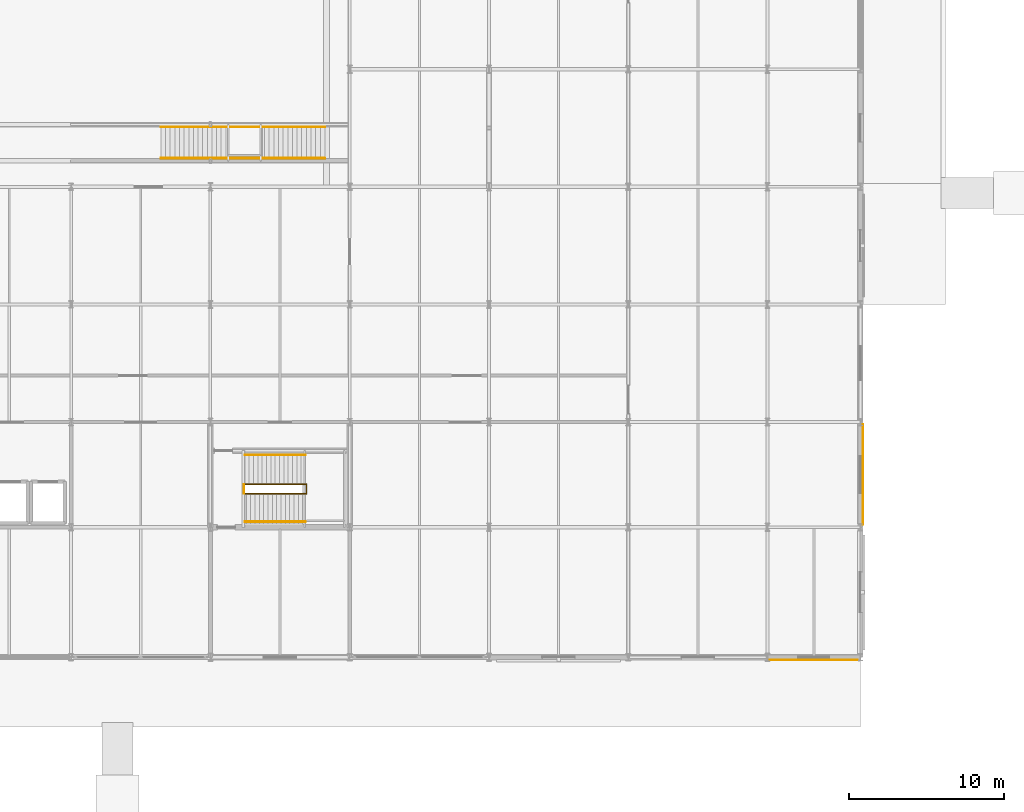
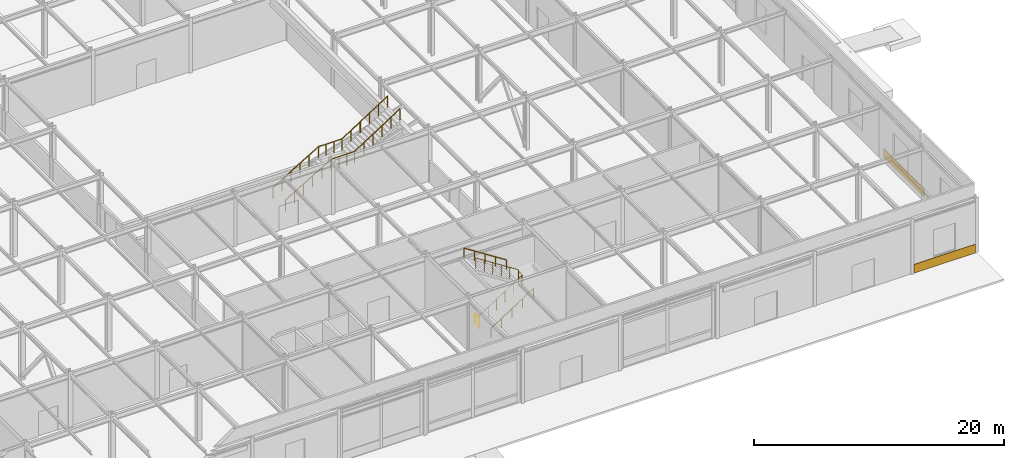
# One storey, part 86 of 89: 6 railings, 2 coverings.
"""IFC4 building model written with IfcOpenShell, lengths in metres."""

from ifc_helpers import new_model, si_unit, direction, frame, origin, origin_2d, place, context, subcontext, project, spatial, rectangle, circle, extrude, material, layer, layer_set, type_object, element, save


model = new_model("IFC4")

# Units and contexts
model_context = context("Model", 3, precision=1e-05, world=origin(), true_north=direction((0.0, 1.0)))
body_context = subcontext(model_context, "Body", "Model", "MODEL_VIEW")
ifc_project = project(units=[si_unit("LENGTHUNIT", "METRE"), si_unit("AREAUNIT", "SQUARE_METRE"), si_unit("VOLUMEUNIT", "CUBIC_METRE"), si_unit("PLANEANGLEUNIT", "RADIAN"), si_unit("MASSUNIT", "GRAM", prefix="KILO")], contexts=[model_context])

# Site, building, storey
site_placement = place(None, origin())
site = spatial("IfcSite", under=ifc_project, at=site_placement, CompositionType="ELEMENT")
building_placement = place(site_placement, origin())
building = spatial("IfcBuilding", under=site, at=building_placement, Name="Shalkamar Park Central Library", CompositionType="ELEMENT")
storey_placement = place(building_placement, origin())
storey = spatial("IfcBuildingStorey", under=building, at=storey_placement, Name="L01", CompositionType="ELEMENT", Elevation=0.0)

# Coverings
ifc_material_1 = material(Name="Granite and travertine stone cladding", Category="masonry")
ifc_layer = layer(ifc_material_1, 0.0400390625)
ifc_layer_set = layer_set([ifc_layer], Name="GraniteTravertineCladdingPanel")
covering_type = type_object("IfcCoveringType", Name="Granite Travertine Cladding Panel", PredefinedType="CLADDING", material=ifc_layer_set)
covering_1_placement = place(storey_placement, frame((285.0, 239.823974609375, 0.0), z_axis=(0.0, 0.0, 1.0), x_axis=(1.0, 0.0, 0.0)))
element("IfcCovering", 1, at=covering_1_placement, inside=storey, type_object=covering_type, Name="Granite and Travertine Cladding Panel L01-003", PredefinedType="CLADDING", context=body_context, shape_type="SweptSolid", body=[
    extrude(rectangle(XDim=5.68798828125, YDim=0.0400390625, at=origin_2d()), origin(), (0.0, 0.0, 1.0), 0.85009765625),
])
covering_2_placement = place(storey_placement, frame((288.176025390625, 251.800048828125, 0.0), z_axis=(0.0, 0.0, 1.0), x_axis=(1.0, 0.0, 0.0)))
element("IfcCovering", 2, at=covering_2_placement, inside=storey, type_object=covering_type, Name="Granite and Travertine Cladding Panel L01-006", PredefinedType="CLADDING", context=body_context, shape_type="SweptSolid", body=[
    extrude(rectangle(XDim=0.0400390625, YDim=6.488037109375, at=origin_2d()), origin(), (0.0, 0.0, 1.0), 0.85009765625),
])

# Railings
ifc_material_2 = material(Name="Steel S355", Category="steel")
railing_type_1 = type_object("IfcRailingType", Name="Stair Guardrail 1100", PredefinedType="GUARDRAIL", material=ifc_material_2)
railing_1_placement = place(storey_placement, frame((248.22509765625, 250.56494140625, 0.179931640625)))
element("IfcRailing", 3, at=railing_1_placement, inside=storey, type_object=railing_type_1, Name="Stair Inner Well Guardrail ST-P3-L01", PredefinedType="GUARDRAIL", context=body_context, shape_type="SweptSolid", body=[
    extrude(circle(Radius=0.02392578125, at=origin_2d()), frame((0.0, 0.0, 1.076171875), z_axis=(0.841171666519, 0.0, 0.540768182723), x_axis=(0.0, 1.0, 0.0)), (0.0, 0.0, 1.0), 4.66015625),
    extrude(circle(Radius=0.02392578125, at=origin_2d()), frame((3.919921875, 0.0, 3.59619140625), z_axis=(1.0, 0.0, 0.0), x_axis=(0.0, 1.0, 0.0)), (0.0, 0.0, 1.0), 0.06005859375),
    extrude(circle(Radius=0.02392578125, at=origin_2d()), frame((3.97998046875, 0.0, 3.59619140625), z_axis=(0.0, 1.0, 0.0), x_axis=(-1.0, 0.0, 0.0)), (0.0, 0.0, 1.0), 0.6201171875),
    extrude(circle(Radius=0.02392578125, at=origin_2d()), frame((3.97998046875, 0.6201171875, 3.59619140625), z_axis=(-0.316613854282, 0.0, 0.948554514657), x_axis=(0.0, -1.0, 0.0)), (0.0, 0.0, 1.0), 0.189697265625),
    extrude(circle(Radius=0.02392578125, at=origin_2d()), frame((3.919921875, 0.6201171875, 3.77587890625), z_axis=(-0.841171666519, 0.0, 0.540768182723), x_axis=(0.0, -1.0, 0.0)), (0.0, 0.0, 1.0), 4.66015625),
    extrude(circle(Radius=0.02099609375, at=origin_2d()), origin(), (0.0, 0.0, 1.0), 1.052001953125),
    extrude(circle(Radius=0.02099609375, at=origin_2d()), frame((0.783935546875, 0.0, 0.50390625)), (0.0, 0.0, 1.0), 1.052001953125),
    extrude(circle(Radius=0.02099609375, at=origin_2d()), frame((1.56787109375, 0.0, 1.008056640625)), (0.0, 0.0, 1.0), 1.052001953125),
    extrude(circle(Radius=0.02099609375, at=origin_2d()), frame((2.35205078125, 0.0, 1.511962890625)), (0.0, 0.0, 1.0), 1.052001953125),
    extrude(circle(Radius=0.02099609375, at=origin_2d()), frame((3.135986328125, 0.0, 2.01611328125)), (0.0, 0.0, 1.0), 1.052001953125),
    extrude(circle(Radius=0.02099609375, at=origin_2d()), frame((3.919921875, 0.0, 2.52001953125)), (0.0, 0.0, 1.0), 1.052001953125),
    extrude(circle(Radius=0.02099609375, at=origin_2d()), frame((3.97998046875, 0.0, 2.52001953125)), (0.0, 0.0, 1.0), 1.052001953125),
    extrude(circle(Radius=0.02099609375, at=origin_2d()), frame((3.97998046875, 0.6201171875, 2.52001953125)), (0.0, 0.0, 1.0), 1.052001953125),
    extrude(circle(Radius=0.02099609375, at=origin_2d()), frame((3.919921875, 0.6201171875, 2.699951171875)), (0.0, 0.0, 1.0), 1.052001953125),
    extrude(circle(Radius=0.02099609375, at=origin_2d()), frame((3.135986328125, 0.6201171875, 3.203857421875)), (0.0, 0.0, 1.0), 1.052001953125),
    extrude(circle(Radius=0.02099609375, at=origin_2d()), frame((2.35205078125, 0.6201171875, 3.7080078125)), (0.0, 0.0, 1.0), 1.052001953125),
    extrude(circle(Radius=0.02099609375, at=origin_2d()), frame((1.56787109375, 0.6201171875, 4.2119140625)), (0.0, 0.0, 1.0), 1.052001953125),
    extrude(circle(Radius=0.02099609375, at=origin_2d()), frame((0.783935546875, 0.6201171875, 4.716064453125)), (0.0, 0.0, 1.0), 1.052001953125),
    extrude(circle(Radius=0.02099609375, at=origin_2d()), frame((0.0, 0.6201171875, 5.219970703125)), (0.0, 0.0, 1.0), 1.052001953125),
])
railing_2_placement = place(storey_placement, frame((248.1650390625, 250.574951171875, 0.0)))
element("IfcRailing", 4, at=railing_2_placement, inside=storey, type_object=railing_type_1, Name="Stair Arrival Well Guardrail ST-P3 (L01)", PredefinedType="GUARDRAIL", context=body_context, shape_type="SweptSolid", body=[
    extrude(circle(Radius=0.02392578125, at=origin_2d()), frame((0.0, 0.0, 1.076171875), z_axis=(0.0, 1.0, 0.0), x_axis=(-1.0, 0.0, 0.0)), (0.0, 0.0, 1.0), 0.60009765625),
    extrude(circle(Radius=0.02099609375, at=origin_2d()), origin(), (0.0, 0.0, 1.0), 1.052001953125),
    extrude(circle(Radius=0.02099609375, at=origin_2d()), frame((0.0, 0.60009765625, 0.0)), (0.0, 0.0, 1.0), 1.052001953125),
])
railing_3_placement = place(storey_placement, frame((242.800048828125, 272.239990234375, 0.179931640625)))
element("IfcRailing", 5, at=railing_3_placement, inside=storey, type_object=railing_type_1, Name="Monumental Stair ST-A1 Guardrail (S)", PredefinedType="GUARDRAIL", context=body_context, shape_type="SweptSolid", body=[
    extrude(circle(Radius=0.02392578125, at=origin_2d()), frame((0.0, 0.0, 1.076171875), z_axis=(0.857488527567, 0.0, 0.514503085598), x_axis=(0.0, 1.0, 0.0)), (0.0, 0.0, 1.0), 4.89794921875),
    extrude(circle(Radius=0.02392578125, at=origin_2d()), frame((4.199951171875, 0.0, 3.59619140625), z_axis=(1.0, 0.0, 0.0), x_axis=(0.0, 1.0, 0.0)), (0.0, 0.0, 1.0), 2.199951171875),
    extrude(circle(Radius=0.02392578125, at=origin_2d()), frame((6.39990234375, 0.0, 3.59619140625), z_axis=(0.841180064094, 0.0, 0.540755119968), x_axis=(0.0, 1.0, 0.0)), (0.0, 0.0, 1.0), 4.992919921875),
    extrude(circle(Radius=0.02099609375, at=origin_2d()), origin(), (0.0, 0.0, 1.0), 1.052001953125),
    extrude(circle(Radius=0.02099609375, at=origin_2d()), frame((0.840087890625, 0.0, 0.50390625)), (0.0, 0.0, 1.0), 1.052001953125),
    extrude(circle(Radius=0.02099609375, at=origin_2d()), frame((1.679931640625, 0.0, 1.008056640625)), (0.0, 0.0, 1.0), 1.052001953125),
    extrude(circle(Radius=0.02099609375, at=origin_2d()), frame((2.52001953125, 0.0, 1.511962890625)), (0.0, 0.0, 1.0), 1.052001953125),
    extrude(circle(Radius=0.02099609375, at=origin_2d()), frame((3.35986328125, 0.0, 2.01611328125)), (0.0, 0.0, 1.0), 1.052001953125),
    extrude(circle(Radius=0.02099609375, at=origin_2d()), frame((4.199951171875, 0.0, 2.52001953125)), (0.0, 0.0, 1.0), 1.052001953125),
    extrude(circle(Radius=0.02099609375, at=origin_2d()), frame((4.933349609375, 0.0, 2.52001953125)), (0.0, 0.0, 1.0), 1.052001953125),
    extrude(circle(Radius=0.02099609375, at=origin_2d()), frame((5.66650390625, 0.0, 2.52001953125)), (0.0, 0.0, 1.0), 1.052001953125),
    extrude(circle(Radius=0.02099609375, at=origin_2d()), frame((6.39990234375, 0.0, 2.52001953125)), (0.0, 0.0, 1.0), 1.052001953125),
    extrude(circle(Radius=0.02099609375, at=origin_2d()), frame((7.239990234375, 0.0, 3.06005859375)), (0.0, 0.0, 1.0), 1.052001953125),
    extrude(circle(Radius=0.02099609375, at=origin_2d()), frame((8.079833984375, 0.0, 3.60009765625)), (0.0, 0.0, 1.0), 1.052001953125),
    extrude(circle(Radius=0.02099609375, at=origin_2d()), frame((8.919921875, 0.0, 4.139892578125)), (0.0, 0.0, 1.0), 1.052001953125),
    extrude(circle(Radius=0.02099609375, at=origin_2d()), frame((9.759765625, 0.0, 4.679931640625)), (0.0, 0.0, 1.0), 1.052001953125),
    extrude(circle(Radius=0.02099609375, at=origin_2d()), frame((10.599853515625, 0.0, 5.219970703125)), (0.0, 0.0, 1.0), 1.052001953125),
])
railing_4_placement = place(storey_placement, frame((242.800048828125, 274.260009765625, 0.179931640625)))
element("IfcRailing", 6, at=railing_4_placement, inside=storey, type_object=railing_type_1, Name="Monumental Stair ST-A1 Guardrail (N)", PredefinedType="GUARDRAIL", context=body_context, shape_type="SweptSolid", body=[
    extrude(circle(Radius=0.02392578125, at=origin_2d()), frame((0.0, 0.0, 1.076171875), z_axis=(0.857488527567, 0.0, 0.514503085598), x_axis=(0.0, 1.0, 0.0)), (0.0, 0.0, 1.0), 4.89794921875),
    extrude(circle(Radius=0.02392578125, at=origin_2d()), frame((4.199951171875, 0.0, 3.59619140625), z_axis=(1.0, 0.0, 0.0), x_axis=(0.0, 1.0, 0.0)), (0.0, 0.0, 1.0), 2.199951171875),
    extrude(circle(Radius=0.02392578125, at=origin_2d()), frame((6.39990234375, 0.0, 3.59619140625), z_axis=(0.841180064094, 0.0, 0.540755119968), x_axis=(0.0, 1.0, 0.0)), (0.0, 0.0, 1.0), 4.992919921875),
    extrude(circle(Radius=0.02099609375, at=origin_2d()), origin(), (0.0, 0.0, 1.0), 1.052001953125),
    extrude(circle(Radius=0.02099609375, at=origin_2d()), frame((0.840087890625, 0.0, 0.50390625)), (0.0, 0.0, 1.0), 1.052001953125),
    extrude(circle(Radius=0.02099609375, at=origin_2d()), frame((1.679931640625, 0.0, 1.008056640625)), (0.0, 0.0, 1.0), 1.052001953125),
    extrude(circle(Radius=0.02099609375, at=origin_2d()), frame((2.52001953125, 0.0, 1.511962890625)), (0.0, 0.0, 1.0), 1.052001953125),
    extrude(circle(Radius=0.02099609375, at=origin_2d()), frame((3.35986328125, 0.0, 2.01611328125)), (0.0, 0.0, 1.0), 1.052001953125),
    extrude(circle(Radius=0.02099609375, at=origin_2d()), frame((4.199951171875, 0.0, 2.52001953125)), (0.0, 0.0, 1.0), 1.052001953125),
    extrude(circle(Radius=0.02099609375, at=origin_2d()), frame((4.933349609375, 0.0, 2.52001953125)), (0.0, 0.0, 1.0), 1.052001953125),
    extrude(circle(Radius=0.02099609375, at=origin_2d()), frame((5.66650390625, 0.0, 2.52001953125)), (0.0, 0.0, 1.0), 1.052001953125),
    extrude(circle(Radius=0.02099609375, at=origin_2d()), frame((6.39990234375, 0.0, 2.52001953125)), (0.0, 0.0, 1.0), 1.052001953125),
    extrude(circle(Radius=0.02099609375, at=origin_2d()), frame((7.239990234375, 0.0, 3.06005859375)), (0.0, 0.0, 1.0), 1.052001953125),
    extrude(circle(Radius=0.02099609375, at=origin_2d()), frame((8.079833984375, 0.0, 3.60009765625)), (0.0, 0.0, 1.0), 1.052001953125),
    extrude(circle(Radius=0.02099609375, at=origin_2d()), frame((8.919921875, 0.0, 4.139892578125)), (0.0, 0.0, 1.0), 1.052001953125),
    extrude(circle(Radius=0.02099609375, at=origin_2d()), frame((9.759765625, 0.0, 4.679931640625)), (0.0, 0.0, 1.0), 1.052001953125),
    extrude(circle(Radius=0.02099609375, at=origin_2d()), frame((10.599853515625, 0.0, 5.219970703125)), (0.0, 0.0, 1.0), 1.052001953125),
])
railing_type_2 = type_object("IfcRailingType", Name="Stair Pitched Handrail 920", PredefinedType="HANDRAIL", material=ifc_material_2)
railing_5_placement = place(storey_placement, frame((248.22509765625, 248.7548828125, 0.179931640625)))
element("IfcRailing", 7, at=railing_5_placement, inside=storey, type_object=railing_type_2, Name="Stair Wall Handrail ST-P3-L01 Flight 1", PredefinedType="HANDRAIL", context=body_context, shape_type="SweptSolid", body=[
    extrude(circle(Radius=0.02392578125, at=origin_2d()), frame((0.0, 0.0, 0.89599609375), z_axis=(0.841171666519, 0.0, 0.540768182723), x_axis=(0.0, 1.0, 0.0)), (0.0, 0.0, 1.0), 4.66015625),
    extrude(circle(Radius=0.02099609375, at=origin_2d()), origin(), (0.0, 0.0, 1.0), 0.871826171875),
    extrude(circle(Radius=0.02099609375, at=origin_2d()), frame((0.97998046875, 0.0, 0.6298828125)), (0.0, 0.0, 1.0), 0.871826171875),
    extrude(circle(Radius=0.02099609375, at=origin_2d()), frame((1.9599609375, 0.0, 1.260009765625)), (0.0, 0.0, 1.0), 0.871826171875),
    extrude(circle(Radius=0.02099609375, at=origin_2d()), frame((2.93994140625, 0.0, 1.89013671875)), (0.0, 0.0, 1.0), 0.871826171875),
    extrude(circle(Radius=0.02099609375, at=origin_2d()), frame((3.919921875, 0.0, 2.52001953125)), (0.0, 0.0, 1.0), 0.871826171875),
])
railing_6_placement = place(storey_placement, frame((252.14501953125, 253.074951171875, 2.8798828125)))
element("IfcRailing", 8, at=railing_6_placement, inside=storey, type_object=railing_type_2, Name="Stair Wall Handrail ST-P3-L01 Flight 2", PredefinedType="HANDRAIL", context=body_context, shape_type="SweptSolid", body=[
    extrude(circle(Radius=0.02392578125, at=origin_2d()), frame((0.0, 0.0, 0.89599609375), z_axis=(-0.841171666519, 0.0, 0.540768182723), x_axis=(0.0, -1.0, 0.0)), (0.0, 0.0, 1.0), 4.66015625),
    extrude(circle(Radius=0.02099609375, at=origin_2d()), origin(), (0.0, 0.0, 1.0), 0.871826171875),
    extrude(circle(Radius=0.02099609375, at=origin_2d()), frame((-0.97998046875, 0.0, 0.6298828125)), (0.0, 0.0, 1.0), 0.871826171875),
    extrude(circle(Radius=0.02099609375, at=origin_2d()), frame((-1.9599609375, 0.0, 1.260009765625)), (0.0, 0.0, 1.0), 0.871826171875),
    extrude(circle(Radius=0.02099609375, at=origin_2d()), frame((-2.93994140625, 0.0, 1.89013671875)), (0.0, 0.0, 1.0), 0.871826171875),
    extrude(circle(Radius=0.02099609375, at=origin_2d()), frame((-3.919921875, 0.0, 2.52001953125)), (0.0, 0.0, 1.0), 0.871826171875),
])

save(model, "model.ifc")
